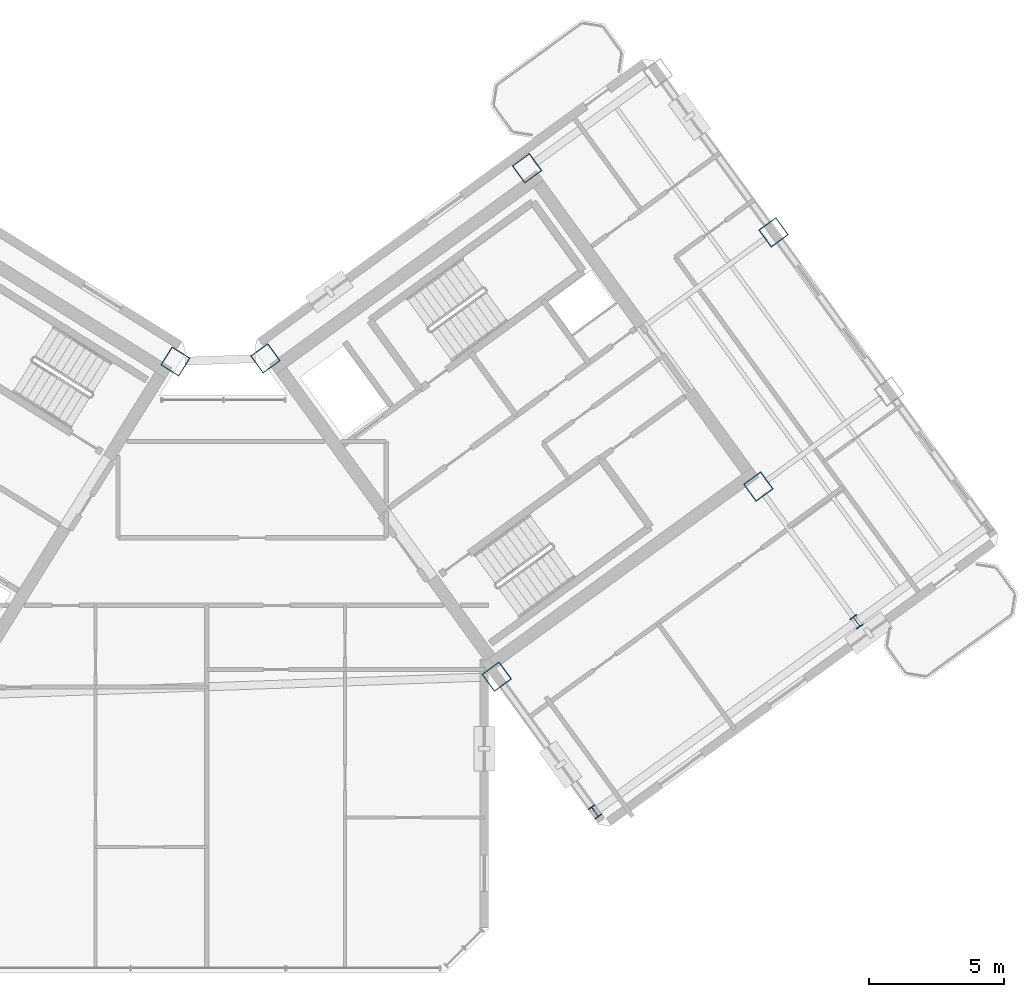
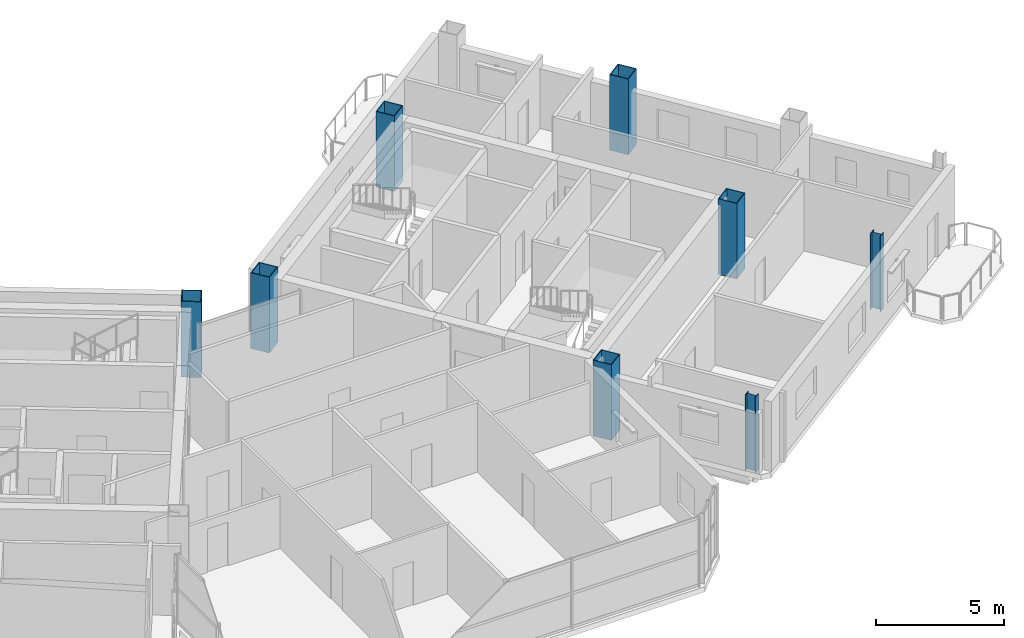
# One storey, part 2 of 27: 8 columns.
"""IFC4 building model written with IfcOpenShell, lengths in metres."""

import ifcopenshell
import ifcopenshell.guid

model = None  # the IFC model being written
_history = None  # IfcOwnerHistory: only IFC2X3 demands one
_inside = {}  # id of a spatial element -> (the spatial element, [elements in it])
_under = {}  # id of a project, library or spatial element -> (it, [spatial elements below it])
_declared = {}  # id of a project -> (the project, [libraries it declares])
_typed = {}  # id of a type object -> (the type object, [elements of that type])
_made_of = {}  # id of a material, layer set ... -> (it, [elements and type objects made of it])


def new_model(schema):
    """Start an empty IFC model of exactly this schema.

    Asked for "IFC4X3", IfcOpenShell would pick the latest addendum, in which some entities
    have other attributes; the version numbers below select the first issue.
    IFC2X3 requires an IfcOwnerHistory on every rooted entity: one is made here for all.
    """
    global model, _history
    if schema == "IFC4X3":
        model = ifcopenshell.file(schema_version=(4, 3, 0, 0))
    else:
        model = ifcopenshell.file(schema=schema)
    _inside.clear()
    _under.clear()
    _declared.clear()
    _typed.clear()
    _made_of.clear()
    _history = None
    if model.schema == "IFC2X3":
        org = make("IfcOrganization", Name="unknown")
        user = make(
            "IfcPersonAndOrganization",
            ThePerson=make("IfcPerson", FamilyName="unknown"),
            TheOrganization=org,
        )
        app = make(
            "IfcApplication",
            ApplicationDeveloper=org,
            Version="unknown",
            ApplicationFullName="unknown",
            ApplicationIdentifier="unknown",
        )
        _history = make(
            "IfcOwnerHistory",
            OwningUser=user,
            OwningApplication=app,
            ChangeAction="ADDED",
            CreationDate=0,
        )
    return model


def make(cls, **values):
    """One entity of the class cls with the attributes given. An attribute that is None is left unset."""
    return model.create_entity(
        cls, **{name: value for name, value in values.items() if value is not None}
    )


def rooted(cls, **values):
    """An entity with a GlobalId (a new one), such as an element, a storey or a relation."""
    return make(cls, GlobalId=ifcopenshell.guid.new(), OwnerHistory=_history, **values)


def si_unit(unit_type, name, prefix=None):
    """IfcSIUnit, for example si_unit("LENGTHUNIT", "METRE", prefix="MILLI")."""
    return make("IfcSIUnit", UnitType=unit_type, Prefix=prefix, Name=name)


def assignment(units):
    """IfcUnitAssignment: the units of a project."""
    return None if units is None else make("IfcUnitAssignment", Units=units)


def point(xyz):
    """IfcCartesianPoint."""
    return None if xyz is None else make("IfcCartesianPoint", Coordinates=xyz)


def direction(xyz):
    """IfcDirection."""
    return None if xyz is None else make("IfcDirection", DirectionRatios=xyz)


def frame(location, z_axis=None, x_axis=None):
    """IfcAxis2Placement3D, a coordinate frame: its origin and axes. An axis left out is left unset."""
    return make(
        "IfcAxis2Placement3D",
        Location=point(location),
        Axis=direction(z_axis),
        RefDirection=direction(x_axis),
    )


def frame_2d(location, x_axis=None):
    """IfcAxis2Placement2D, a coordinate frame in the plane: its origin and x axis."""
    return make(
        "IfcAxis2Placement2D", Location=point(location), RefDirection=direction(x_axis)
    )


def origin():
    """The frame at (0, 0, 0) with its axes left unset."""
    return frame((0.0, 0.0, 0.0))


def origin_2d():
    """The frame at (0, 0) in the plane with its x axis left unset."""
    return frame_2d((0.0, 0.0))


def place(relative_to, where):
    """IfcLocalPlacement: puts the frame where relative to a parent placement (None: the world)."""
    return make(
        "IfcLocalPlacement", PlacementRelTo=relative_to, RelativePlacement=where
    )


def context(
    kind, dimensions, precision=None, world=None, true_north=None, identifier=None
):
    """IfcGeometricRepresentationContext, for example the 3D "Model" context."""
    return make(
        "IfcGeometricRepresentationContext",
        ContextIdentifier=identifier,
        ContextType=kind,
        CoordinateSpaceDimension=dimensions,
        Precision=precision,
        WorldCoordinateSystem=world,
        TrueNorth=true_north,
    )


def subcontext(parent, identifier, kind, view, scale=None):
    """IfcGeometricRepresentationSubContext, for example "Body" below "Model"."""
    return make(
        "IfcGeometricRepresentationSubContext",
        ContextIdentifier=identifier,
        ContextType=kind,
        ParentContext=parent,
        TargetScale=scale,
        TargetView=view,
    )


def project(units=None, contexts=None):
    """IfcProject with its units and contexts."""
    return rooted(
        "IfcProject",
        Name="project",
        RepresentationContexts=contexts,
        UnitsInContext=assignment(units),
    )


def spatial(cls, under=None, at=None, **own):
    """A site, building, storey or space (cls), placed at a placement, below another one or the project."""
    s = rooted(cls, ObjectPlacement=at, **own)
    if under is not None:
        _under.setdefault(under.id(), (under, []))[1].append(s)
    return s


def profile(cls, at=None, kind="AREA", **sizes):
    """A parametric profile (cls). Its sizes go by their IFC names, for example OverallWidth=200.0."""
    return make(cls, ProfileType=kind, Position=at, **sizes)


def hollow_rectangle(**sizes):
    """IfcRectangleHollowProfileDef."""
    return profile("IfcRectangleHollowProfileDef", **sizes)


def i_section(**sizes):
    """IfcIShapeProfileDef."""
    return profile("IfcIShapeProfileDef", **sizes)


def extrude(swept, where, along, depth):
    """IfcExtrudedAreaSolid: the profile swept, set in the frame where, extruded along a direction by depth."""
    return make(
        "IfcExtrudedAreaSolid",
        SweptArea=swept,
        Position=where,
        ExtrudedDirection=direction(along),
        Depth=depth,
    )


def shape(context_of_items, identifier, shape_type, items):
    """IfcShapeRepresentation: the items that make up one representation, for example the "Body"."""
    return make(
        "IfcShapeRepresentation",
        ContextOfItems=context_of_items,
        RepresentationIdentifier=identifier,
        RepresentationType=shape_type,
        Items=items,
    )


def source(mapping_origin, context_of_items, identifier, shape_type, items):
    """IfcRepresentationMap: a shape defined once, which mapped items show again and again."""
    return make(
        "IfcRepresentationMap",
        MappingOrigin=mapping_origin,
        MappedRepresentation=shape(context_of_items, identifier, shape_type, items),
    )


def transform(
    local_origin,
    x_axis=None,
    y_axis=None,
    z_axis=None,
    scale=None,
    scale2=None,
    scale3=None,
    uniform=True,
):
    """IfcCartesianTransformationOperator3D, or its non-uniform kind. x_axis, y_axis, z_axis: its Axis1, 2, 3."""
    if uniform:
        return make(
            "IfcCartesianTransformationOperator3D",
            Axis1=direction(x_axis),
            Axis2=direction(y_axis),
            LocalOrigin=point(local_origin),
            Scale=scale,
            Axis3=direction(z_axis),
        )
    return make(
        "IfcCartesianTransformationOperator3DnonUniform",
        Axis1=direction(x_axis),
        Axis2=direction(y_axis),
        LocalOrigin=point(local_origin),
        Scale=scale,
        Axis3=direction(z_axis),
        Scale2=scale2,
        Scale3=scale3,
    )


def mapped(mapping_source, mapping_target):
    """IfcMappedItem: shows the shape of a source again, moved by a transform."""
    return make(
        "IfcMappedItem", MappingSource=mapping_source, MappingTarget=mapping_target
    )


def material(Name=None, Category=None):
    """IfcMaterial."""
    return make("IfcMaterial", Name=Name, Category=Category)


def material_profile(
    of_material, cross_section, Name=None, Category=None, Priority=None
):
    """IfcMaterialProfile: a cross section and its material."""
    return make(
        "IfcMaterialProfile",
        Name=Name,
        Material=of_material,
        Profile=cross_section,
        Priority=Priority,
        Category=Category,
    )


def profile_set(profiles, Name=None, composite=None):
    """IfcMaterialProfileSet."""
    return make(
        "IfcMaterialProfileSet",
        Name=Name,
        MaterialProfiles=profiles,
        CompositeProfile=composite,
    )


def made_of(thing, what):
    """Note that an element or type object is made of a material, layer set ...; save() writes the relation."""
    if what is not None:
        _made_of.setdefault(what.id(), (what, []))[1].append(thing)
    return thing


def type_object(cls, material=None, **own):
    """A type object (cls), such as IfcWallType, which elements share."""
    return made_of(rooted(cls, **own), material)


def element(
    cls,
    number,
    at=None,
    inside=None,
    cuts=None,
    type_object=None,
    material=None,
    context=None,
    identifier="Body",
    shape_type=None,
    held_by="IfcProductDefinitionShape",
    body=None,
    shapes=None,
    **own,
):
    """One element of the class cls, such as IfcWall. Its Tag is "e" and its number.

    at: its placement. inside: the storey or other place that contains it. cuts: it is an
    opening in that element (IfcRelVoidsElement). A single representation is given by context,
    identifier, shape_type and body (its items); several are given by shapes. held_by: the class
    of the entity that holds the representations. save() writes the other relations.
    """
    e = rooted(cls, Tag="e%d" % number, ObjectPlacement=at, **own)
    if body is not None:
        shapes = [shape(context, identifier, shape_type, body)]
    if shapes is not None:
        e.Representation = make(held_by, Representations=shapes)
    if inside is not None:
        _inside.setdefault(inside.id(), (inside, []))[1].append(e)
    if cuts is not None:
        rooted(
            "IfcRelVoidsElement", RelatingBuildingElement=cuts, RelatedOpeningElement=e
        )
    if type_object is not None:
        _typed.setdefault(type_object.id(), (type_object, []))[1].append(e)
    return made_of(e, material)


def aggregate(whole, parts):
    """IfcRelAggregates: a whole, such as a stair, and the parts it consists of."""
    return rooted("IfcRelAggregates", RelatingObject=whole, RelatedObjects=parts)


def save(model, path):
    """Write the relations noted so far, then the file.

    IfcRelAggregates (storeys below a building ...), IfcRelContainedInSpatialStructure (elements
    in a storey), IfcRelDefinesByType, IfcRelAssociatesMaterial and IfcRelDeclares: one each for
    every whole, place, type object, material and project.
    """
    for whole, parts in _under.values():
        aggregate(whole, parts)
    for where, things in _inside.values():
        rooted(
            "IfcRelContainedInSpatialStructure",
            RelatedElements=things,
            RelatingStructure=where,
        )
    for kind, things in _typed.values():
        rooted("IfcRelDefinesByType", RelatedObjects=things, RelatingType=kind)
    for what, things in _made_of.values():
        rooted("IfcRelAssociatesMaterial", RelatedObjects=things, RelatingMaterial=what)
    for by, libraries in _declared.values():
        rooted("IfcRelDeclares", RelatingContext=by, RelatedDefinitions=libraries)
    model.write(path)


model = new_model("IFC4")

# Units and contexts
model_context = context("Model", 3, precision=1e-05, world=origin(), true_north=direction((0.0, 1.0)))
body_context = subcontext(model_context, "Body", "Model", "MODEL_VIEW")
ifc_project = project(units=[si_unit("LENGTHUNIT", "METRE"), si_unit("AREAUNIT", "SQUARE_METRE"), si_unit("VOLUMEUNIT", "CUBIC_METRE"), si_unit("PLANEANGLEUNIT", "RADIAN"), si_unit("MASSUNIT", "GRAM", prefix="KILO")], contexts=[model_context])

# Site, building, storey
site_placement = place(None, origin())
site = spatial("IfcSite", under=ifc_project, at=site_placement, CompositionType="ELEMENT")
building_placement = place(site_placement, origin())
building = spatial("IfcBuilding", under=site, at=building_placement, Name="Tlacorven Tower", CompositionType="ELEMENT")
storey_placement = place(building_placement, frame((0.0, 0.0, 242.10009765625)))
storey = spatial("IfcBuildingStorey", under=building, at=storey_placement, Name="L61", CompositionType="ELEMENT", Elevation=242.10009765625)

# Columns
ifc_material_1 = material(Name="Steel S460M", Category="steel")
ifc_material_profile_1 = material_profile(ifc_material_1, hollow_rectangle(XDim=0.800048828125, YDim=0.800048828125, WallThickness=0.031982421875, at=origin_2d()), Name="BOX 800X800X32")
ifc_profile_set_1 = profile_set([ifc_material_profile_1], Name="Steel S460M")
column_type_1 = type_object("IfcColumnType", Name="COL-TWR-S3", PredefinedType="COLUMN", material=ifc_profile_set_1)
shared_shape_1 = source(origin(), body_context, "Body", "SweptSolid", [
    extrude(hollow_rectangle(XDim=0.800048828125, YDim=0.800048828125, WallThickness=0.031982421875, at=origin_2d()), origin(), (0.0, 0.0, 1.0), 3.599853515625),
])
for number, where, z_axis, x_axis, name in (
    (1, (40.782958984375, 24.468505859375, 0.0), (0.0, 0.0, 1.0), (-0.848048096156, 0.529919264233, 0.0), "L61 column COL-L61-W1-1"),
    (2, (52.705322265625, 12.7734375, 0.0), (0.0, 0.0, 1.0), (0.809016994375, 0.587785252292, 0.0), "L61 column COL-L61-E1-2"),
    (3, (44.123779296875, 24.5849609375, 0.0), (0.0, 0.0, 1.0), (0.809016994375, 0.587785252292, 0.0), "L61 column COL-L61-E1-4"),
    (4, (62.41357421875, 19.826904296875, 0.0), (0.0, 0.0, 1.0), (0.809016994375, 0.587785252292, 0.0), "L61 column COL-L61-E3-2"),
    (5, (53.83203125, 31.638427734375, 0.0), (0.0, 0.0, 1.0), (0.809016994375, 0.587785252292, 0.0), "L61 column COL-L61-E3-4"),
    (6, (62.976806640625, 29.25927734375, 0.0), (0.0, 0.0, 1.0), (0.809016994375, 0.587785252292, 0.0), "L61 column COL-L61-E4-3"),
):
    element("IfcColumn", number, at=place(storey_placement, frame(where, z_axis=z_axis, x_axis=x_axis)), inside=storey, type_object=column_type_1, Name=name, PredefinedType="COLUMN", context=body_context, shape_type="MappedRepresentation", body=[
        mapped(shared_shape_1, transform((0.0, 0.0, 0.0), scale=1.0)),
    ])
ifc_material_2 = material(Name="Steel S355J2", Category="steel")
ifc_material_profile_2 = material_profile(ifc_material_2, i_section(OverallWidth=0.300048828125, OverallDepth=0.449951171875, WebThickness=0.013916015625, FlangeThickness=0.02587890625, at=origin_2d()), Name="HEB 450")
ifc_profile_set_2 = profile_set([ifc_material_profile_2], Name="Steel S355J2")
column_type_2 = type_object("IfcColumnType", Name="COL-TWR-P3", PredefinedType="COLUMN", material=ifc_profile_set_2)
shared_shape_2 = source(origin(), body_context, "Body", "SweptSolid", [
    extrude(i_section(OverallWidth=0.300048828125, OverallDepth=0.449951171875, WebThickness=0.013916015625, FlangeThickness=0.02587890625, at=origin_2d()), origin(), (0.0, 0.0, 1.0), 3.599853515625),
])
for number, where, z_axis, x_axis, name in (
    (7, (56.349609375, 7.757568359375, 0.0), (0.0, 0.0, 1.0), (0.809016994375, 0.587785252292, 0.0), "L61 column COL-L61-E1-1"),
    (8, (66.057861328125, 14.81103515625, 0.0), (0.0, 0.0, 1.0), (0.809016994375, 0.587785252292, 0.0), "L61 column COL-L61-E3-1"),
):
    element("IfcColumn", number, at=place(storey_placement, frame(where, z_axis=z_axis, x_axis=x_axis)), inside=storey, type_object=column_type_2, Name=name, PredefinedType="COLUMN", context=body_context, shape_type="MappedRepresentation", body=[
        mapped(shared_shape_2, transform((0.0, 0.0, 0.0), scale=1.0)),
    ])

save(model, "model.ifc")
